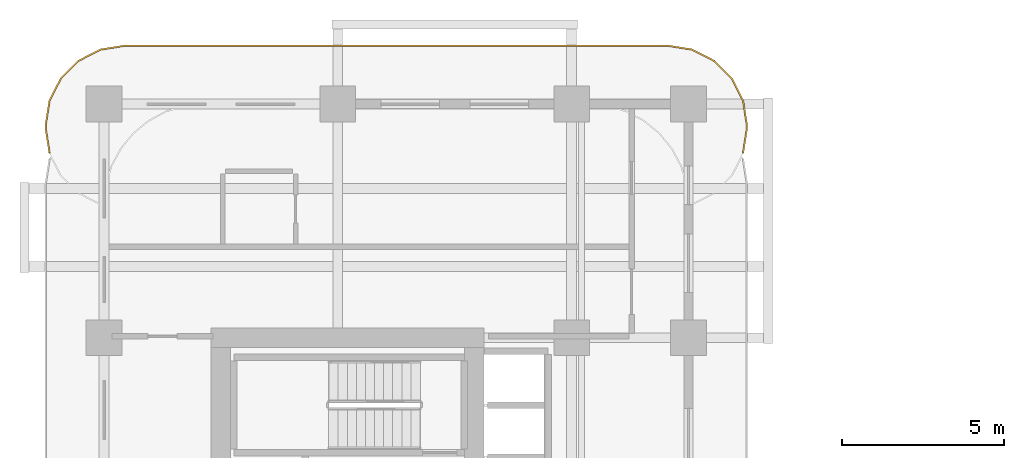
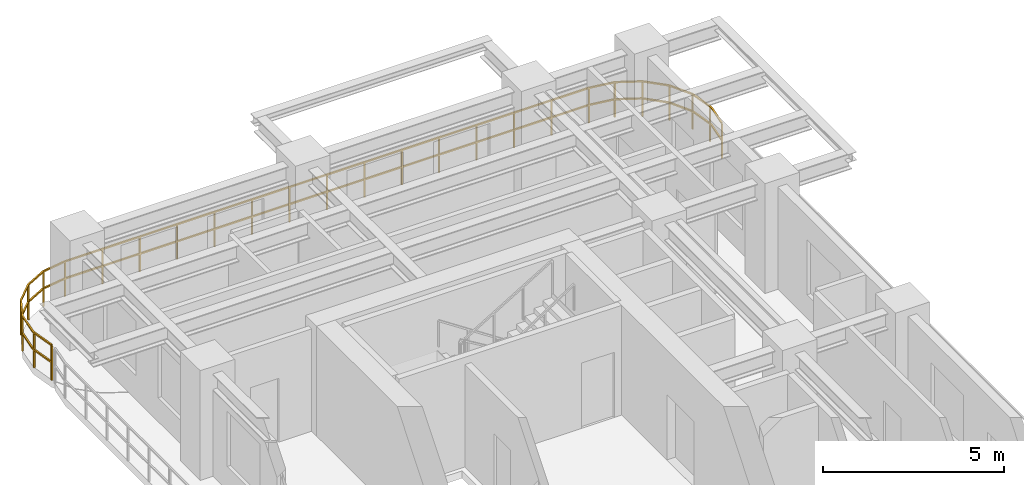
# One storey, part 19 of 19: 1 railing.
"""IFC4 building model written with IfcOpenShell, lengths in metres."""

from ifc_helpers import new_model, si_unit, derived_unit, direction, frame, origin, origin_2d, place, context, subcontext, project, spatial, rectangle, extrude, material, type_object, element, save


model = new_model("IFC4")

# Units and contexts
model_context = context("Model", 3, precision=1e-05, world=origin(), true_north=direction((0.0, 1.0)))
body_context = subcontext(model_context, "Body", "Model", "MODEL_VIEW")
ifc_project = project(units=[si_unit("LENGTHUNIT", "METRE"), si_unit("AREAUNIT", "SQUARE_METRE"), si_unit("VOLUMEUNIT", "CUBIC_METRE"), si_unit("PLANEANGLEUNIT", "RADIAN"), si_unit("MASSUNIT", "GRAM", prefix="KILO"), si_unit("THERMODYNAMICTEMPERATUREUNIT", "KELVIN"), si_unit("POWERUNIT", "WATT"), derived_unit("THERMALTRANSMITTANCEUNIT", [(si_unit("POWERUNIT", "WATT"), 1), (si_unit("AREAUNIT", "SQUARE_METRE"), -1), (si_unit("THERMODYNAMICTEMPERATUREUNIT", "KELVIN"), -1)])], contexts=[model_context])

# Site, building, storey
site_placement = place(None, origin())
site = spatial("IfcSite", under=ifc_project, at=site_placement, CompositionType="ELEMENT")
building_placement = place(site_placement, origin())
building = spatial("IfcBuilding", under=site, at=building_placement, Name="Zahravan Archway Hotel and Residences", CompositionType="ELEMENT")
storey_placement = place(building_placement, frame((0.0, 0.0, 43.5)))
storey = spatial("IfcBuildingStorey", under=building, at=storey_placement, Name="L09", CompositionType="ELEMENT", Elevation=43.5)

# Railing
ifc_material = material(Name="Bronze & Laminated Glass Balustrade", Category="glass")
railing_type = type_object("IfcRailingType", Name="RL-BAL-1200", PredefinedType="BALUSTRADE", material=ifc_material)
railing_placement = place(storey_placement, frame((-1.68017578125, 45.29296875, 0.0)))
element("IfcRailing", 1, at=railing_placement, inside=storey, type_object=railing_type, Name="L09 Balustrade RL-SLB-BAL-L09-NB-1", PredefinedType="BALUSTRADE", context=body_context, shape_type="SweptSolid", body=[
    extrude(rectangle(XDim=0.048095703125, YDim=0.048095703125, at=origin_2d()), frame((0.0, 0.0, 1.17578125), z_axis=(-0.156387811283, 0.987695728695, 0.0), x_axis=(-0.987695728695, -0.156387811283, 0.0)), (0.0, 0.0, 1.0), 0.7666015625),
    extrude(rectangle(XDim=0.048095703125, YDim=0.048095703125, at=origin_2d()), frame((0.0, 0.0, 0.60009765625), z_axis=(-0.156387811283, 0.987695728695, 0.0), x_axis=(-0.987695728695, -0.156387811283, 0.0)), (0.0, 0.0, 1.0), 0.7666015625),
    extrude(rectangle(XDim=0.048095703125, YDim=0.048095703125, at=origin_2d()), frame((-0.119873046875, 0.757080078125, 1.17578125), z_axis=(0.0, 1.0, 0.0), x_axis=(-1.0, 0.0, 0.0)), (0.0, 0.0, 1.0), 0.099853515625),
    extrude(rectangle(XDim=0.048095703125, YDim=0.048095703125, at=origin_2d()), frame((-0.119873046875, 0.757080078125, 0.60009765625), z_axis=(0.0, 1.0, 0.0), x_axis=(-1.0, 0.0, 0.0)), (0.0, 0.0, 1.0), 0.099853515625),
    extrude(rectangle(XDim=0.048095703125, YDim=0.048095703125, at=origin_2d()), frame((-0.119873046875, 0.85693359375, 1.17578125), z_axis=(0.156387811283, 0.987695728695, 0.0), x_axis=(-0.987695728695, 0.156387811283, 0.0)), (0.0, 0.0, 1.0), 0.7666015625),
    extrude(rectangle(XDim=0.048095703125, YDim=0.048095703125, at=origin_2d()), frame((-0.119873046875, 0.85693359375, 0.60009765625), z_axis=(0.156387811283, 0.987695728695, 0.0), x_axis=(-0.987695728695, 0.156387811283, 0.0)), (0.0, 0.0, 1.0), 0.7666015625),
    extrude(rectangle(XDim=0.048095703125, YDim=0.048095703125, at=origin_2d()), frame((0.0, 1.614013671875, 1.17578125), z_axis=(0.454078418624, 0.890961721815, 0.0), x_axis=(-0.890961721815, 0.454078418624, 0.0)), (0.0, 0.0, 1.0), 0.7666015625),
    extrude(rectangle(XDim=0.048095703125, YDim=0.048095703125, at=origin_2d()), frame((0.0, 1.614013671875, 0.60009765625), z_axis=(0.454078418624, 0.890961721815, 0.0), x_axis=(-0.890961721815, 0.454078418624, 0.0)), (0.0, 0.0, 1.0), 0.7666015625),
    extrude(rectangle(XDim=0.048095703125, YDim=0.048095703125, at=origin_2d()), frame((0.34814453125, 2.297119140625, 1.17578125), z_axis=(0.707106781187, 0.707106781187, 0.0), x_axis=(-0.707106781187, 0.707106781187, 0.0)), (0.0, 0.0, 1.0), 0.7666015625),
    extrude(rectangle(XDim=0.048095703125, YDim=0.048095703125, at=origin_2d()), frame((0.34814453125, 2.297119140625, 0.60009765625), z_axis=(0.707106781187, 0.707106781187, 0.0), x_axis=(-0.707106781187, 0.707106781187, 0.0)), (0.0, 0.0, 1.0), 0.7666015625),
    extrude(rectangle(XDim=0.048095703125, YDim=0.048095703125, at=origin_2d()), frame((0.89013671875, 2.839111328125, 1.17578125), z_axis=(0.891024909783, 0.453954414172, 0.0), x_axis=(-0.453954414172, 0.891024909783, 0.0)), (0.0, 0.0, 1.0), 0.766357421875),
    extrude(rectangle(XDim=0.048095703125, YDim=0.048095703125, at=origin_2d()), frame((0.89013671875, 2.839111328125, 0.60009765625), z_axis=(0.891024909783, 0.453954414172, 0.0), x_axis=(-0.453954414172, 0.891024909783, 0.0)), (0.0, 0.0, 1.0), 0.766357421875),
    extrude(rectangle(XDim=0.048095703125, YDim=0.048095703125, at=origin_2d()), frame((1.572998046875, 3.18701171875, 1.17578125), z_axis=(0.987646484274, 0.156698507018, 0.0), x_axis=(-0.156698507018, 0.987646484274, 0.0)), (0.0, 0.0, 1.0), 0.7666015625),
    extrude(rectangle(XDim=0.048095703125, YDim=0.048095703125, at=origin_2d()), frame((1.572998046875, 3.18701171875, 0.60009765625), z_axis=(0.987646484274, 0.156698507018, 0.0), x_axis=(-0.156698507018, 0.987646484274, 0.0)), (0.0, 0.0, 1.0), 0.7666015625),
    extrude(rectangle(XDim=0.048095703125, YDim=0.048095703125, at=origin_2d()), frame((2.330078125, 3.30712890625, 1.17578125), z_axis=(1.0, 0.0, 0.0), x_axis=(0.0, 1.0, 0.0)), (0.0, 0.0, 1.0), 16.7001953125),
    extrude(rectangle(XDim=0.048095703125, YDim=0.048095703125, at=origin_2d()), frame((2.330078125, 3.30712890625, 0.60009765625), z_axis=(1.0, 0.0, 0.0), x_axis=(0.0, 1.0, 0.0)), (0.0, 0.0, 1.0), 16.7001953125),
    extrude(rectangle(XDim=0.048095703125, YDim=0.048095703125, at=origin_2d()), frame((19.0302734375, 3.30712890625, 1.17578125), z_axis=(0.987646484274, -0.156698507018, 0.0), x_axis=(0.156698507018, 0.987646484274, 0.0)), (0.0, 0.0, 1.0), 0.7666015625),
    extrude(rectangle(XDim=0.048095703125, YDim=0.048095703125, at=origin_2d()), frame((19.0302734375, 3.30712890625, 0.60009765625), z_axis=(0.987646484274, -0.156698507018, 0.0), x_axis=(0.156698507018, 0.987646484274, 0.0)), (0.0, 0.0, 1.0), 0.7666015625),
    extrude(rectangle(XDim=0.048095703125, YDim=0.048095703125, at=origin_2d()), frame((19.787353515625, 3.18701171875, 1.17578125), z_axis=(0.891024909783, -0.453954414172, 0.0), x_axis=(0.453954414172, 0.891024909783, 0.0)), (0.0, 0.0, 1.0), 0.766357421875),
    extrude(rectangle(XDim=0.048095703125, YDim=0.048095703125, at=origin_2d()), frame((19.787353515625, 3.18701171875, 0.60009765625), z_axis=(0.891024909783, -0.453954414172, 0.0), x_axis=(0.453954414172, 0.891024909783, 0.0)), (0.0, 0.0, 1.0), 0.766357421875),
    extrude(rectangle(XDim=0.048095703125, YDim=0.048095703125, at=origin_2d()), frame((20.47021484375, 2.839111328125, 1.17578125), z_axis=(0.707106781187, -0.707106781187, 0.0), x_axis=(0.707106781187, 0.707106781187, 0.0)), (0.0, 0.0, 1.0), 0.7666015625),
    extrude(rectangle(XDim=0.048095703125, YDim=0.048095703125, at=origin_2d()), frame((20.47021484375, 2.839111328125, 0.60009765625), z_axis=(0.707106781187, -0.707106781187, 0.0), x_axis=(0.707106781187, 0.707106781187, 0.0)), (0.0, 0.0, 1.0), 0.7666015625),
    extrude(rectangle(XDim=0.048095703125, YDim=0.048095703125, at=origin_2d()), frame((21.01220703125, 2.297119140625, 1.17578125), z_axis=(0.454078418624, -0.890961721815, 0.0), x_axis=(0.890961721815, 0.454078418624, 0.0)), (0.0, 0.0, 1.0), 0.7666015625),
    extrude(rectangle(XDim=0.048095703125, YDim=0.048095703125, at=origin_2d()), frame((21.01220703125, 2.297119140625, 0.60009765625), z_axis=(0.454078418624, -0.890961721815, 0.0), x_axis=(0.890961721815, 0.454078418624, 0.0)), (0.0, 0.0, 1.0), 0.7666015625),
    extrude(rectangle(XDim=0.048095703125, YDim=0.048095703125, at=origin_2d()), frame((21.3603515625, 1.614013671875, 1.17578125), z_axis=(0.156387811283, -0.987695728695, 0.0), x_axis=(0.987695728695, 0.156387811283, 0.0)), (0.0, 0.0, 1.0), 0.7666015625),
    extrude(rectangle(XDim=0.048095703125, YDim=0.048095703125, at=origin_2d()), frame((21.3603515625, 1.614013671875, 0.60009765625), z_axis=(0.156387811283, -0.987695728695, 0.0), x_axis=(0.987695728695, 0.156387811283, 0.0)), (0.0, 0.0, 1.0), 0.7666015625),
    extrude(rectangle(XDim=0.048095703125, YDim=0.048095703125, at=origin_2d()), frame((21.480224609375, 0.85693359375, 1.17578125), z_axis=(0.0, -1.0, 0.0), x_axis=(1.0, 0.0, 0.0)), (0.0, 0.0, 1.0), 0.099853515625),
    extrude(rectangle(XDim=0.048095703125, YDim=0.048095703125, at=origin_2d()), frame((21.480224609375, 0.85693359375, 0.60009765625), z_axis=(0.0, -1.0, 0.0), x_axis=(1.0, 0.0, 0.0)), (0.0, 0.0, 1.0), 0.099853515625),
    extrude(rectangle(XDim=0.048095703125, YDim=0.048095703125, at=origin_2d()), frame((21.480224609375, 0.757080078125, 1.17578125), z_axis=(-0.156387811283, -0.987695728695, 0.0), x_axis=(0.987695728695, -0.156387811283, 0.0)), (0.0, 0.0, 1.0), 0.7666015625),
    extrude(rectangle(XDim=0.048095703125, YDim=0.048095703125, at=origin_2d()), frame((21.480224609375, 0.757080078125, 0.60009765625), z_axis=(-0.156387811283, -0.987695728695, 0.0), x_axis=(0.987695728695, -0.156387811283, 0.0)), (0.0, 0.0, 1.0), 0.7666015625),
    extrude(rectangle(XDim=0.0419921875, YDim=0.0419921875, at=origin_2d()), origin(), (0.0, 0.0, 1.0), 1.15185546875),
    extrude(rectangle(XDim=0.0419921875, YDim=0.0419921875, at=origin_2d()), frame((-0.119873046875, 0.757080078125, 0.0)), (0.0, 0.0, 1.0), 1.15185546875),
    extrude(rectangle(XDim=0.0419921875, YDim=0.0419921875, at=origin_2d()), frame((0.0, 1.614013671875, 0.0)), (0.0, 0.0, 1.0), 1.15185546875),
    extrude(rectangle(XDim=0.0419921875, YDim=0.0419921875, at=origin_2d()), frame((0.34814453125, 2.297119140625, 0.0)), (0.0, 0.0, 1.0), 1.15185546875),
    extrude(rectangle(XDim=0.0419921875, YDim=0.0419921875, at=origin_2d()), frame((0.89013671875, 2.839111328125, 0.0)), (0.0, 0.0, 1.0), 1.15185546875),
    extrude(rectangle(XDim=0.0419921875, YDim=0.0419921875, at=origin_2d()), frame((1.572998046875, 3.18701171875, 0.0)), (0.0, 0.0, 1.0), 1.15185546875),
    extrude(rectangle(XDim=0.0419921875, YDim=0.0419921875, at=origin_2d()), frame((2.330078125, 3.30712890625, 0.0)), (0.0, 0.0, 1.0), 1.15185546875),
    extrude(rectangle(XDim=0.0419921875, YDim=0.0419921875, at=origin_2d()), frame((3.52294921875, 3.30712890625, 0.0)), (0.0, 0.0, 1.0), 1.15185546875),
    extrude(rectangle(XDim=0.0419921875, YDim=0.0419921875, at=origin_2d()), frame((4.7158203125, 3.30712890625, 0.0)), (0.0, 0.0, 1.0), 1.15185546875),
    extrude(rectangle(XDim=0.0419921875, YDim=0.0419921875, at=origin_2d()), frame((5.90869140625, 3.30712890625, 0.0)), (0.0, 0.0, 1.0), 1.15185546875),
    extrude(rectangle(XDim=0.0419921875, YDim=0.0419921875, at=origin_2d()), frame((7.1015625, 3.30712890625, 0.0)), (0.0, 0.0, 1.0), 1.15185546875),
    extrude(rectangle(XDim=0.0419921875, YDim=0.0419921875, at=origin_2d()), frame((8.29443359375, 3.30712890625, 0.0)), (0.0, 0.0, 1.0), 1.15185546875),
    extrude(rectangle(XDim=0.0419921875, YDim=0.0419921875, at=origin_2d()), frame((9.4873046875, 3.30712890625, 0.0)), (0.0, 0.0, 1.0), 1.15185546875),
    extrude(rectangle(XDim=0.0419921875, YDim=0.0419921875, at=origin_2d()), frame((10.68017578125, 3.30712890625, 0.0)), (0.0, 0.0, 1.0), 1.15185546875),
    extrude(rectangle(XDim=0.0419921875, YDim=0.0419921875, at=origin_2d()), frame((11.873046875, 3.30712890625, 0.0)), (0.0, 0.0, 1.0), 1.15185546875),
    extrude(rectangle(XDim=0.0419921875, YDim=0.0419921875, at=origin_2d()), frame((13.06591796875, 3.30712890625, 0.0)), (0.0, 0.0, 1.0), 1.15185546875),
    extrude(rectangle(XDim=0.0419921875, YDim=0.0419921875, at=origin_2d()), frame((14.2587890625, 3.30712890625, 0.0)), (0.0, 0.0, 1.0), 1.15185546875),
    extrude(rectangle(XDim=0.0419921875, YDim=0.0419921875, at=origin_2d()), frame((15.45166015625, 3.30712890625, 0.0)), (0.0, 0.0, 1.0), 1.15185546875),
    extrude(rectangle(XDim=0.0419921875, YDim=0.0419921875, at=origin_2d()), frame((16.64453125, 3.30712890625, 0.0)), (0.0, 0.0, 1.0), 1.15185546875),
    extrude(rectangle(XDim=0.0419921875, YDim=0.0419921875, at=origin_2d()), frame((17.83740234375, 3.30712890625, 0.0)), (0.0, 0.0, 1.0), 1.15185546875),
    extrude(rectangle(XDim=0.0419921875, YDim=0.0419921875, at=origin_2d()), frame((19.0302734375, 3.30712890625, 0.0)), (0.0, 0.0, 1.0), 1.15185546875),
    extrude(rectangle(XDim=0.0419921875, YDim=0.0419921875, at=origin_2d()), frame((19.787353515625, 3.18701171875, 0.0)), (0.0, 0.0, 1.0), 1.15185546875),
    extrude(rectangle(XDim=0.0419921875, YDim=0.0419921875, at=origin_2d()), frame((20.47021484375, 2.839111328125, 0.0)), (0.0, 0.0, 1.0), 1.15185546875),
    extrude(rectangle(XDim=0.0419921875, YDim=0.0419921875, at=origin_2d()), frame((21.01220703125, 2.297119140625, 0.0)), (0.0, 0.0, 1.0), 1.15185546875),
    extrude(rectangle(XDim=0.0419921875, YDim=0.0419921875, at=origin_2d()), frame((21.3603515625, 1.614013671875, 0.0)), (0.0, 0.0, 1.0), 1.15185546875),
    extrude(rectangle(XDim=0.0419921875, YDim=0.0419921875, at=origin_2d()), frame((21.480224609375, 0.85693359375, 0.0)), (0.0, 0.0, 1.0), 1.15185546875),
    extrude(rectangle(XDim=0.0419921875, YDim=0.0419921875, at=origin_2d()), frame((21.3603515625, 0.0, 0.0)), (0.0, 0.0, 1.0), 1.15185546875),
])

save(model, "model.ifc")
